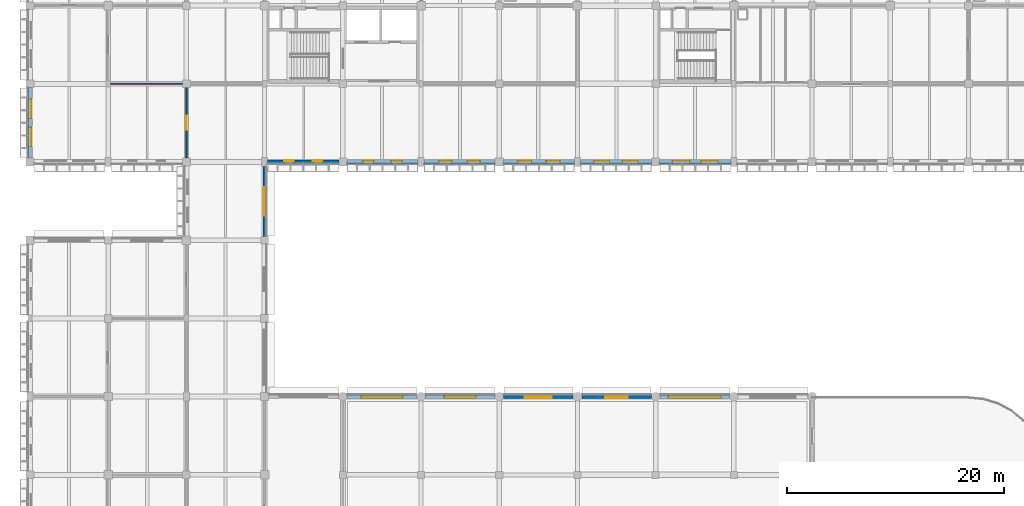
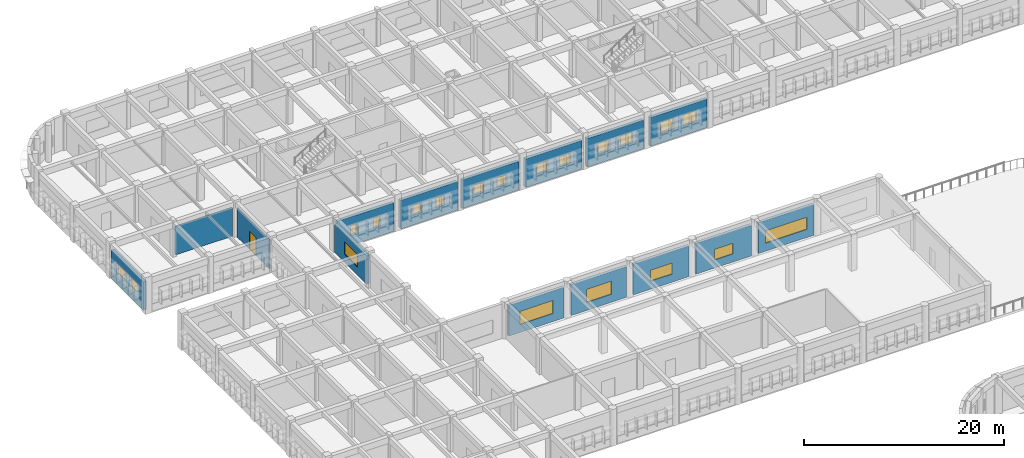
# One storey, part 43 of 61: 20 windows, 15 walls, 1 door, 21 openings.
"""IFC4 building model written with IfcOpenShell, lengths in metres."""

from ifc_helpers import new_model, si_unit, direction, frame, frame_2d, origin, place, context, subcontext, project, spatial, rectangle, extrude, material, layer, layer_set, type_object, element, fill, save


model = new_model("IFC4")

# Units and contexts
model_context = context("Model", 3, precision=1e-05, world=origin(), true_north=direction((0.0, 1.0)))
body_context = subcontext(model_context, "Body", "Model", "MODEL_VIEW")
ifc_project = project(units=[si_unit("LENGTHUNIT", "METRE"), si_unit("AREAUNIT", "SQUARE_METRE"), si_unit("VOLUMEUNIT", "CUBIC_METRE"), si_unit("PLANEANGLEUNIT", "RADIAN"), si_unit("MASSUNIT", "GRAM", prefix="KILO")], contexts=[model_context])

# Site, building, storey
site_placement = place(None, origin())
site = spatial("IfcSite", under=ifc_project, at=site_placement, CompositionType="ELEMENT")
building_placement = place(site_placement, origin())
building = spatial("IfcBuilding", under=site, at=building_placement, Name="Thalmaran Polytechnic", CompositionType="ELEMENT")
storey_placement = place(building_placement, frame((0.0, 0.0, 9.89990234375)))
storey = spatial("IfcBuildingStorey", under=building, at=storey_placement, Name="L02", CompositionType="ELEMENT", Elevation=9.89990234375)

# Wall, openings, windows
ifc_material_1 = material(Name="Precast concrete C40/50", Category="concrete")
ifc_layer_1 = layer(ifc_material_1, 0.360107421875, Name="Precast concrete C40/50")
ifc_layer_set_1 = layer_set([ifc_layer_1], Name="Precast concrete C40/50")
wall_type_1 = type_object("IfcWallType", Name="WL-EW01", PredefinedType="STANDARD", material=ifc_layer_set_1)
wall_1_placement = place(storey_placement, frame((0.0, 93.97509765625, 0.0), z_axis=(0.0, 0.0, 1.0), x_axis=(0.0, 1.0, 0.0)))
wall_1 = element("IfcWall", 1, at=wall_1_placement, inside=storey, type_object=wall_type_1, Name="Exterior Precast Facade Wall L02-018", PredefinedType="STANDARD", context=body_context, shape_type="SweptSolid", body=[
    extrude(rectangle(XDim=6.46484375, YDim=0.360107421875, at=frame_2d((3.232421875, 0.0))), origin(), (0.0, 0.0, 1.0), 3.47021484375),
])
opening_1_placement = place(wall_1_placement, frame((1.064453125, 0.0, 1.14990234375)))
opening_1 = element("IfcOpeningElement", 2, at=opening_1_placement, cuts=wall_1, Name="Opening VW08", PredefinedType="OPENING", context=body_context, shape_type="SweptSolid", body=[
    extrude(rectangle(XDim=1.75, YDim=1.39990234375, at=frame_2d((0.875, 0.699951171875))), frame((0.0, 0.18994140625, 0.0), z_axis=(0.0, -1.0, 0.0), x_axis=(1.0, 0.0, 0.0)), (0.0, 0.0, 1.0), 0.380126953125),
])
opening_2_placement = place(wall_1_placement, frame((3.650390625, 0.0, 1.14990234375)))
opening_2 = element("IfcOpeningElement", 3, at=opening_2_placement, cuts=wall_1, Name="Opening VW08", PredefinedType="OPENING", context=body_context, shape_type="SweptSolid", body=[
    extrude(rectangle(XDim=1.75, YDim=1.39990234375, at=frame_2d((0.875, 0.699951171875))), frame((0.0, 0.18994140625, 0.0), z_axis=(0.0, -1.0, 0.0), x_axis=(1.0, 0.0, 0.0)), (0.0, 0.0, 1.0), 0.380126953125),
])
ifc_material_2 = material(Name="Thermally broken aluminium and double low-E glass", Category="aluminium")
window_type_1 = type_object("IfcWindowType", Name="WN-VZ08", PartitioningType="SINGLE_PANEL", PredefinedType="WINDOW", material=ifc_material_2)
window_1_placement = place(opening_1_placement, origin())
window_1 = element("IfcWindow", 4, at=window_1_placement, inside=storey, type_object=window_type_1, Name="Deep-Set Solar-Screened Window W-0217", OverallHeight=1.39990234375, OverallWidth=1.75, PartitioningType="SINGLE_PANEL", PredefinedType="WINDOW", context=body_context, shape_type="SweptSolid", body=[
    extrude(rectangle(XDim=1.75, YDim=1.39990234375, at=frame_2d((0.875, 0.699951171875))), frame((0.0, -0.080078125, 0.0), z_axis=(0.0, -1.0, 0.0), x_axis=(1.0, 0.0, 0.0)), (0.0, 0.0, 1.0), 0.06005859375),
])
fill(opening_1, window_1)
window_2_placement = place(opening_2_placement, origin())
window_2 = element("IfcWindow", 5, at=window_2_placement, inside=storey, type_object=window_type_1, Name="Deep-Set Solar-Screened Window W-0218", OverallHeight=1.39990234375, OverallWidth=1.75, PartitioningType="SINGLE_PANEL", PredefinedType="WINDOW", context=body_context, shape_type="SweptSolid", body=[
    extrude(rectangle(XDim=1.75, YDim=1.39990234375, at=frame_2d((0.875, 0.699951171875))), frame((0.0, -0.080078125, 0.0), z_axis=(0.0, -1.0, 0.0), x_axis=(1.0, 0.0, 0.0)), (0.0, 0.0, 1.0), 0.06005859375),
])
fill(opening_2, window_2)

wall_2_placement = place(storey_placement, frame((64.52490234375, 93.60009765625, 0.0), z_axis=(0.0, 0.0, 1.0), x_axis=(-1.0, 0.0, 0.0)))
wall_2 = element("IfcWall", 6, at=wall_2_placement, inside=storey, type_object=wall_type_1, Name="Exterior Precast Facade Wall L02-103", PredefinedType="STANDARD", context=body_context, shape_type="SweptSolid", body=[
    extrude(rectangle(XDim=6.5498046875, YDim=0.360107421875, at=frame_2d((3.27490234375, 0.0))), origin(), (0.0, 0.0, 1.0), 3.47021484375),
])
opening_3_placement = place(wall_2_placement, frame((1.18994140625, 0.0, 1.14990234375)))
opening_3 = element("IfcOpeningElement", 7, at=opening_3_placement, cuts=wall_2, Name="Opening VW09", PredefinedType="OPENING", context=body_context, shape_type="SweptSolid", body=[
    extrude(rectangle(XDim=1.550048828125, YDim=1.35009765625, at=frame_2d((0.77490234375, 0.675048828125))), frame((0.0, 0.18994140625, 0.0), z_axis=(0.0, -1.0, 0.0), x_axis=(1.0, 0.0, 0.0)), (0.0, 0.0, 1.0), 0.380126953125),
])
opening_4_placement = place(wall_2_placement, frame((3.81005859375, 0.0, 1.14990234375)))
opening_4 = element("IfcOpeningElement", 8, at=opening_4_placement, cuts=wall_2, Name="Opening VW09", PredefinedType="OPENING", context=body_context, shape_type="SweptSolid", body=[
    extrude(rectangle(XDim=1.550048828125, YDim=1.35009765625, at=frame_2d((0.77490234375, 0.675048828125))), frame((0.0, 0.18994140625, 0.0), z_axis=(0.0, -1.0, 0.0), x_axis=(1.0, 0.0, 0.0)), (0.0, 0.0, 1.0), 0.380126953125),
])
window_type_2 = type_object("IfcWindowType", Name="WN-VZ09", PartitioningType="SINGLE_PANEL", PredefinedType="WINDOW", material=ifc_material_2)
window_3_placement = place(opening_3_placement, origin())
window_3 = element("IfcWindow", 9, at=window_3_placement, inside=storey, type_object=window_type_2, Name="Deep-Set Solar-Screened Window W-0306", OverallHeight=1.35009765625, OverallWidth=1.550048828125, PartitioningType="SINGLE_PANEL", PredefinedType="WINDOW", context=body_context, shape_type="SweptSolid", body=[
    extrude(rectangle(XDim=1.550048828125, YDim=1.35009765625, at=frame_2d((0.77490234375, 0.675048828125))), frame((0.0, -0.080078125, 0.0), z_axis=(0.0, -1.0, 0.0), x_axis=(1.0, 0.0, 0.0)), (0.0, 0.0, 1.0), 0.06005859375),
])
fill(opening_3, window_3)
window_4_placement = place(opening_4_placement, origin())
window_4 = element("IfcWindow", 10, at=window_4_placement, inside=storey, type_object=window_type_2, Name="Deep-Set Solar-Screened Window W-0307", OverallHeight=1.35009765625, OverallWidth=1.550048828125, PartitioningType="SINGLE_PANEL", PredefinedType="WINDOW", context=body_context, shape_type="SweptSolid", body=[
    extrude(rectangle(XDim=1.550048828125, YDim=1.35009765625, at=frame_2d((0.77490234375, 0.675048828125))), frame((0.0, -0.080078125, 0.0), z_axis=(0.0, -1.0, 0.0), x_axis=(1.0, 0.0, 0.0)), (0.0, 0.0, 1.0), 0.06005859375),
])
fill(opening_4, window_4)

wall_3_placement = place(storey_placement, frame((57.22509765625, 93.60009765625, 0.0), z_axis=(0.0, 0.0, 1.0), x_axis=(-1.0, 0.0, 0.0)))
wall_3 = element("IfcWall", 11, at=wall_3_placement, inside=storey, type_object=wall_type_1, Name="Exterior Precast Facade Wall L02-104", PredefinedType="STANDARD", context=body_context, shape_type="SweptSolid", body=[
    extrude(rectangle(XDim=6.550048828125, YDim=0.360107421875, at=frame_2d((3.27490234375, 0.0))), origin(), (0.0, 0.0, 1.0), 3.47021484375),
])
opening_5_placement = place(wall_3_placement, frame((1.264892578125, 0.0, 1.14990234375)))
opening_5 = element("IfcOpeningElement", 12, at=opening_5_placement, cuts=wall_3, Name="Opening VW10", PredefinedType="OPENING", context=body_context, shape_type="SweptSolid", body=[
    extrude(rectangle(XDim=1.39990234375, YDim=1.300048828125, at=frame_2d((0.699951171875, 0.64990234375))), frame((0.0, 0.18994140625, 0.0), z_axis=(0.0, -1.0, 0.0), x_axis=(1.0, 0.0, 0.0)), (0.0, 0.0, 1.0), 0.380126953125),
])
opening_6_placement = place(wall_3_placement, frame((3.885009765625, 0.0, 1.14990234375)))
opening_6 = element("IfcOpeningElement", 13, at=opening_6_placement, cuts=wall_3, Name="Opening VW10", PredefinedType="OPENING", context=body_context, shape_type="SweptSolid", body=[
    extrude(rectangle(XDim=1.39990234375, YDim=1.300048828125, at=frame_2d((0.699951171875, 0.64990234375))), frame((0.0, 0.18994140625, 0.0), z_axis=(0.0, -1.0, 0.0), x_axis=(1.0, 0.0, 0.0)), (0.0, 0.0, 1.0), 0.380126953125),
])
window_type_3 = type_object("IfcWindowType", Name="WN-VZ10", PartitioningType="SINGLE_PANEL", PredefinedType="WINDOW", material=ifc_material_2)
window_5_placement = place(opening_5_placement, origin())
window_5 = element("IfcWindow", 14, at=window_5_placement, inside=storey, type_object=window_type_3, Name="Deep-Set Solar-Screened Window W-0308", OverallHeight=1.300048828125, OverallWidth=1.39990234375, PartitioningType="SINGLE_PANEL", PredefinedType="WINDOW", context=body_context, shape_type="SweptSolid", body=[
    extrude(rectangle(XDim=1.39990234375, YDim=1.300048828125, at=frame_2d((0.699951171875, 0.64990234375))), frame((0.0, -0.080078125, 0.0), z_axis=(0.0, -1.0, 0.0), x_axis=(1.0, 0.0, 0.0)), (0.0, 0.0, 1.0), 0.06005859375),
])
fill(opening_5, window_5)
window_6_placement = place(opening_6_placement, origin())
window_6 = element("IfcWindow", 15, at=window_6_placement, inside=storey, type_object=window_type_3, Name="Deep-Set Solar-Screened Window W-0309", OverallHeight=1.300048828125, OverallWidth=1.39990234375, PartitioningType="SINGLE_PANEL", PredefinedType="WINDOW", context=body_context, shape_type="SweptSolid", body=[
    extrude(rectangle(XDim=1.39990234375, YDim=1.300048828125, at=frame_2d((0.699951171875, 0.64990234375))), frame((0.0, -0.080078125, 0.0), z_axis=(0.0, -1.0, 0.0), x_axis=(1.0, 0.0, 0.0)), (0.0, 0.0, 1.0), 0.06005859375),
])
fill(opening_6, window_6)

wall_4_placement = place(storey_placement, frame((50.125, 93.60009765625, 0.0), z_axis=(0.0, 0.0, 1.0), x_axis=(-1.0, 0.0, 0.0)))
wall_4 = element("IfcWall", 16, at=wall_4_placement, inside=storey, type_object=wall_type_1, Name="Exterior Precast Facade Wall L02-105", PredefinedType="STANDARD", context=body_context, shape_type="SweptSolid", body=[
    extrude(rectangle(XDim=6.550048828125, YDim=0.360107421875, at=frame_2d((3.27490234375, 0.0))), origin(), (0.0, 0.0, 1.0), 3.47021484375),
])
opening_7_placement = place(wall_4_placement, frame((1.340087890625, 0.0, 1.14990234375)))
opening_7 = element("IfcOpeningElement", 17, at=opening_7_placement, cuts=wall_4, Name="Opening VW11", PredefinedType="OPENING", context=body_context, shape_type="SweptSolid", body=[
    extrude(rectangle(XDim=1.25, YDim=1.25, at=frame_2d((0.625, 0.625))), frame((0.0, 0.18994140625, 0.0), z_axis=(0.0, -1.0, 0.0), x_axis=(1.0, 0.0, 0.0)), (0.0, 0.0, 1.0), 0.380126953125),
])
opening_8_placement = place(wall_4_placement, frame((3.9599609375, 0.0, 1.14990234375)))
opening_8 = element("IfcOpeningElement", 18, at=opening_8_placement, cuts=wall_4, Name="Opening VW11", PredefinedType="OPENING", context=body_context, shape_type="SweptSolid", body=[
    extrude(rectangle(XDim=1.25, YDim=1.25, at=frame_2d((0.625, 0.625))), frame((0.0, 0.18994140625, 0.0), z_axis=(0.0, -1.0, 0.0), x_axis=(1.0, 0.0, 0.0)), (0.0, 0.0, 1.0), 0.380126953125),
])
window_type_4 = type_object("IfcWindowType", Name="WN-VZ11", PartitioningType="SINGLE_PANEL", PredefinedType="WINDOW", material=ifc_material_2)
window_7_placement = place(opening_7_placement, origin())
window_7 = element("IfcWindow", 19, at=window_7_placement, inside=storey, type_object=window_type_4, Name="Deep-Set Solar-Screened Window W-0310", OverallHeight=1.25, OverallWidth=1.25, PartitioningType="SINGLE_PANEL", PredefinedType="WINDOW", context=body_context, shape_type="SweptSolid", body=[
    extrude(rectangle(XDim=1.25, YDim=1.25, at=frame_2d((0.625, 0.625))), frame((0.0, -0.080078125, 0.0), z_axis=(0.0, -1.0, 0.0), x_axis=(1.0, 0.0, 0.0)), (0.0, 0.0, 1.0), 0.06005859375),
])
fill(opening_7, window_7)
window_8_placement = place(opening_8_placement, origin())
window_8 = element("IfcWindow", 20, at=window_8_placement, inside=storey, type_object=window_type_4, Name="Deep-Set Solar-Screened Window W-0311", OverallHeight=1.25, OverallWidth=1.25, PartitioningType="SINGLE_PANEL", PredefinedType="WINDOW", context=body_context, shape_type="SweptSolid", body=[
    extrude(rectangle(XDim=1.25, YDim=1.25, at=frame_2d((0.625, 0.625))), frame((0.0, -0.080078125, 0.0), z_axis=(0.0, -1.0, 0.0), x_axis=(1.0, 0.0, 0.0)), (0.0, 0.0, 1.0), 0.06005859375),
])
fill(opening_8, window_8)

wall_5_placement = place(storey_placement, frame((42.824951171875, 93.60009765625, 0.0), z_axis=(0.0, 0.0, 1.0), x_axis=(-1.0, 0.0, 0.0)))
wall_5 = element("IfcWall", 21, at=wall_5_placement, inside=storey, type_object=wall_type_1, Name="Exterior Precast Facade Wall L02-106", PredefinedType="STANDARD", context=body_context, shape_type="SweptSolid", body=[
    extrude(rectangle(XDim=6.550048828125, YDim=0.360107421875, at=frame_2d((3.27490234375, 0.0))), origin(), (0.0, 0.0, 1.0), 3.47021484375),
])
opening_9_placement = place(wall_5_placement, frame((1.389892578125, 0.0, 1.14990234375)))
opening_9 = element("IfcOpeningElement", 22, at=opening_9_placement, cuts=wall_5, Name="Opening VW12", PredefinedType="OPENING", context=body_context, shape_type="SweptSolid", body=[
    extrude(rectangle(XDim=1.14990234375, YDim=1.199951171875, at=frame_2d((0.574951171875, 0.60009765625))), frame((0.0, 0.18994140625, 0.0), z_axis=(0.0, -1.0, 0.0), x_axis=(1.0, 0.0, 0.0)), (0.0, 0.0, 1.0), 0.380126953125),
])
opening_10_placement = place(wall_5_placement, frame((4.010009765625, 0.0, 1.14990234375)))
opening_10 = element("IfcOpeningElement", 23, at=opening_10_placement, cuts=wall_5, Name="Opening VW12", PredefinedType="OPENING", context=body_context, shape_type="SweptSolid", body=[
    extrude(rectangle(XDim=1.14990234375, YDim=1.199951171875, at=frame_2d((0.574951171875, 0.60009765625))), frame((0.0, 0.18994140625, 0.0), z_axis=(0.0, -1.0, 0.0), x_axis=(1.0, 0.0, 0.0)), (0.0, 0.0, 1.0), 0.380126953125),
])
window_type_5 = type_object("IfcWindowType", Name="WN-VZ12", PartitioningType="SINGLE_PANEL", PredefinedType="WINDOW", material=ifc_material_2)
window_9_placement = place(opening_9_placement, origin())
window_9 = element("IfcWindow", 24, at=window_9_placement, inside=storey, type_object=window_type_5, Name="Deep-Set Solar-Screened Window W-0312", OverallHeight=1.199951171875, OverallWidth=1.14990234375, PartitioningType="SINGLE_PANEL", PredefinedType="WINDOW", context=body_context, shape_type="SweptSolid", body=[
    extrude(rectangle(XDim=1.14990234375, YDim=1.199951171875, at=frame_2d((0.574951171875, 0.60009765625))), frame((0.0, -0.080078125, 0.0), z_axis=(0.0, -1.0, 0.0), x_axis=(1.0, 0.0, 0.0)), (0.0, 0.0, 1.0), 0.06005859375),
])
fill(opening_9, window_9)
window_10_placement = place(opening_10_placement, origin())
window_10 = element("IfcWindow", 25, at=window_10_placement, inside=storey, type_object=window_type_5, Name="Deep-Set Solar-Screened Window W-0313", OverallHeight=1.199951171875, OverallWidth=1.14990234375, PartitioningType="SINGLE_PANEL", PredefinedType="WINDOW", context=body_context, shape_type="SweptSolid", body=[
    extrude(rectangle(XDim=1.14990234375, YDim=1.199951171875, at=frame_2d((0.574951171875, 0.60009765625))), frame((0.0, -0.080078125, 0.0), z_axis=(0.0, -1.0, 0.0), x_axis=(1.0, 0.0, 0.0)), (0.0, 0.0, 1.0), 0.06005859375),
])
fill(opening_10, window_10)

wall_6_placement = place(storey_placement, frame((35.72509765625, 93.60009765625, 0.0), z_axis=(0.0, 0.0, 1.0), x_axis=(-1.0, 0.0, 0.0)))
wall_6 = element("IfcWall", 26, at=wall_6_placement, inside=storey, type_object=wall_type_1, Name="Exterior Precast Facade Wall L02-107", PredefinedType="STANDARD", context=body_context, shape_type="SweptSolid", body=[
    extrude(rectangle(XDim=6.550048828125, YDim=0.360107421875, at=frame_2d((3.27490234375, 0.0))), origin(), (0.0, 0.0, 1.0), 3.47021484375),
])
opening_11_placement = place(wall_6_placement, frame((1.465087890625, 0.0, 1.14990234375)))
opening_11 = element("IfcOpeningElement", 27, at=opening_11_placement, cuts=wall_6, Name="Opening VW13", PredefinedType="OPENING", context=body_context, shape_type="SweptSolid", body=[
    extrude(rectangle(XDim=1.0, YDim=1.199951171875, at=frame_2d((0.5, 0.60009765625))), frame((0.0, 0.18994140625, 0.0), z_axis=(0.0, -1.0, 0.0), x_axis=(1.0, 0.0, 0.0)), (0.0, 0.0, 1.0), 0.380126953125),
])
opening_12_placement = place(wall_6_placement, frame((4.0849609375, 0.0, 1.14990234375)))
opening_12 = element("IfcOpeningElement", 28, at=opening_12_placement, cuts=wall_6, Name="Opening VW13", PredefinedType="OPENING", context=body_context, shape_type="SweptSolid", body=[
    extrude(rectangle(XDim=1.0, YDim=1.199951171875, at=frame_2d((0.5, 0.60009765625))), frame((0.0, 0.18994140625, 0.0), z_axis=(0.0, -1.0, 0.0), x_axis=(1.0, 0.0, 0.0)), (0.0, 0.0, 1.0), 0.380126953125),
])
window_type_6 = type_object("IfcWindowType", Name="WN-VZ13", PartitioningType="SINGLE_PANEL", PredefinedType="WINDOW", material=ifc_material_2)
window_11_placement = place(opening_11_placement, origin())
window_11 = element("IfcWindow", 29, at=window_11_placement, inside=storey, type_object=window_type_6, Name="Deep-Set Solar-Screened Window W-0314", OverallHeight=1.199951171875, OverallWidth=1.0, PartitioningType="SINGLE_PANEL", PredefinedType="WINDOW", context=body_context, shape_type="SweptSolid", body=[
    extrude(rectangle(XDim=1.0, YDim=1.199951171875, at=frame_2d((0.5, 0.60009765625))), frame((0.0, -0.080078125, 0.0), z_axis=(0.0, -1.0, 0.0), x_axis=(1.0, 0.0, 0.0)), (0.0, 0.0, 1.0), 0.06005859375),
])
fill(opening_11, window_11)
window_12_placement = place(opening_12_placement, origin())
window_12 = element("IfcWindow", 30, at=window_12_placement, inside=storey, type_object=window_type_6, Name="Deep-Set Solar-Screened Window W-0315", OverallHeight=1.199951171875, OverallWidth=1.0, PartitioningType="SINGLE_PANEL", PredefinedType="WINDOW", context=body_context, shape_type="SweptSolid", body=[
    extrude(rectangle(XDim=1.0, YDim=1.199951171875, at=frame_2d((0.5, 0.60009765625))), frame((0.0, -0.080078125, 0.0), z_axis=(0.0, -1.0, 0.0), x_axis=(1.0, 0.0, 0.0)), (0.0, 0.0, 1.0), 0.06005859375),
])
fill(opening_12, window_12)

wall_7_placement = place(storey_placement, frame((28.425048828125, 93.60009765625, 0.0), z_axis=(0.0, 0.0, 1.0), x_axis=(-1.0, 0.0, 0.0)))
wall_7 = element("IfcWall", 31, at=wall_7_placement, inside=storey, type_object=wall_type_1, Name="Exterior Precast Facade Wall L02-108", PredefinedType="STANDARD", context=body_context, shape_type="SweptSolid", body=[
    extrude(rectangle(XDim=6.550048828125, YDim=0.360107421875, at=frame_2d((3.27490234375, 0.0))), origin(), (0.0, 0.0, 1.0), 3.47021484375),
])
opening_13_placement = place(wall_7_placement, frame((1.5400390625, 0.0, 1.14990234375)))
opening_13 = element("IfcOpeningElement", 32, at=opening_13_placement, cuts=wall_7, Name="Opening VW14", PredefinedType="OPENING", context=body_context, shape_type="SweptSolid", body=[
    extrude(rectangle(XDim=0.85009765625, YDim=1.25, at=frame_2d((0.425048828125, 0.625))), frame((0.0, 0.18994140625, 0.0), z_axis=(0.0, -1.0, 0.0), x_axis=(1.0, 0.0, 0.0)), (0.0, 0.0, 1.0), 0.380126953125),
])
opening_14_placement = place(wall_7_placement, frame((4.159912109375, 0.0, 1.14990234375)))
opening_14 = element("IfcOpeningElement", 33, at=opening_14_placement, cuts=wall_7, Name="Opening VW14", PredefinedType="OPENING", context=body_context, shape_type="SweptSolid", body=[
    extrude(rectangle(XDim=0.85009765625, YDim=1.25, at=frame_2d((0.425048828125, 0.625))), frame((0.0, 0.18994140625, 0.0), z_axis=(0.0, -1.0, 0.0), x_axis=(1.0, 0.0, 0.0)), (0.0, 0.0, 1.0), 0.380126953125),
])
window_type_7 = type_object("IfcWindowType", Name="WN-VZ14", PartitioningType="SINGLE_PANEL", PredefinedType="WINDOW", material=ifc_material_2)
window_13_placement = place(opening_13_placement, origin())
window_13 = element("IfcWindow", 34, at=window_13_placement, inside=storey, type_object=window_type_7, Name="Deep-Set Solar-Screened Window W-0316", OverallHeight=1.25, OverallWidth=0.85009765625, PartitioningType="SINGLE_PANEL", PredefinedType="WINDOW", context=body_context, shape_type="SweptSolid", body=[
    extrude(rectangle(XDim=0.85009765625, YDim=1.25, at=frame_2d((0.425048828125, 0.625))), frame((0.0, -0.080078125, 0.0), z_axis=(0.0, -1.0, 0.0), x_axis=(1.0, 0.0, 0.0)), (0.0, 0.0, 1.0), 0.06005859375),
])
fill(opening_13, window_13)
window_14_placement = place(opening_14_placement, origin())
window_14 = element("IfcWindow", 35, at=window_14_placement, inside=storey, type_object=window_type_7, Name="Deep-Set Solar-Screened Window W-0317", OverallHeight=1.25, OverallWidth=0.85009765625, PartitioningType="SINGLE_PANEL", PredefinedType="WINDOW", context=body_context, shape_type="SweptSolid", body=[
    extrude(rectangle(XDim=0.85009765625, YDim=1.25, at=frame_2d((0.425048828125, 0.625))), frame((0.0, -0.080078125, 0.0), z_axis=(0.0, -1.0, 0.0), x_axis=(1.0, 0.0, 0.0)), (0.0, 0.0, 1.0), 0.06005859375),
])
fill(opening_14, window_14)

# Wall, opening, window
ifc_layer_2 = layer(ifc_material_1, 0.330078125, Name="Precast concrete C40/50")
ifc_layer_set_2 = layer_set([ifc_layer_2], Name="Precast concrete C40/50")
wall_type_2 = type_object("IfcWallType", Name="WL-EW02", PredefinedType="STANDARD", material=ifc_layer_set_2)
wall_8_placement = place(storey_placement, frame((21.60009765625, 93.175048828125, 0.0), z_axis=(0.0, 0.0, 1.0), x_axis=(0.0, -1.0, 0.0)))
wall_8 = element("IfcWall", 36, at=wall_8_placement, inside=storey, type_object=wall_type_2, Name="Exterior Precast Facade Wall L02-109", PredefinedType="STANDARD", context=body_context, shape_type="SweptSolid", body=[
    extrude(rectangle(XDim=6.425048828125, YDim=0.330078125, at=frame_2d((3.21240234375, 0.0))), origin(), (0.0, 0.0, 1.0), 3.47021484375),
])
opening_15_placement = place(wall_8_placement, frame((1.91259765625, 0.0, 0.97998046875)))
opening_15 = element("IfcOpeningElement", 37, at=opening_15_placement, cuts=wall_8, Name="Opening VW05", PredefinedType="OPENING", context=body_context, shape_type="SweptSolid", body=[
    extrude(rectangle(XDim=2.60009765625, YDim=1.5, at=frame_2d((1.300048828125, 0.75))), frame((0.0, 0.175048828125, 0.0), z_axis=(0.0, -1.0, 0.0), x_axis=(1.0, 0.0, 0.0)), (0.0, 0.0, 1.0), 0.35009765625),
])
window_type_8 = type_object("IfcWindowType", Name="WN-VZ05", PartitioningType="DOUBLE_PANEL_VERTICAL", PredefinedType="WINDOW", material=ifc_material_2)
window_15_placement = place(opening_15_placement, origin())
window_15 = element("IfcWindow", 38, at=window_15_placement, inside=storey, type_object=window_type_8, Name="Streamline Ribbon Window W-0318", OverallHeight=1.5, OverallWidth=2.60009765625, PartitioningType="SINGLE_PANEL", PredefinedType="WINDOW", context=body_context, shape_type="SweptSolid", body=[
    extrude(rectangle(XDim=2.60009765625, YDim=1.5, at=frame_2d((1.300048828125, 0.75))), frame((0.0, -0.030029296875, 0.0), z_axis=(0.0, -1.0, 0.0), x_axis=(1.0, 0.0, 0.0)), (0.0, 0.0, 1.0), 0.06005859375),
])
fill(opening_15, window_15)

wall_9_placement = place(storey_placement, frame((29.199951171875, 72.0, 0.0), z_axis=(0.0, 0.0, 1.0), x_axis=(1.0, 0.0, 0.0)))
wall_9 = element("IfcWall", 39, at=wall_9_placement, inside=storey, type_object=wall_type_2, Name="Exterior Precast Facade Wall L02-113", PredefinedType="STANDARD", context=body_context, shape_type="SweptSolid", body=[
    extrude(rectangle(XDim=6.400146484375, YDim=0.330078125, at=frame_2d((3.2001953125, 0.0))), origin(), (0.0, 0.0, 1.0), 3.7451171875),
])
opening_16_placement = place(wall_9_placement, frame((1.300048828125, 0.0, 0.97998046875)))
opening_16 = element("IfcOpeningElement", 40, at=opening_16_placement, cuts=wall_9, Name="Opening VW17", PredefinedType="OPENING", context=body_context, shape_type="SweptSolid", body=[
    extrude(rectangle(XDim=3.800048828125, YDim=1.60009765625, at=frame_2d((1.89990234375, 0.800048828125))), frame((0.0, 0.175048828125, 0.0), z_axis=(0.0, -1.0, 0.0), x_axis=(1.0, 0.0, 0.0)), (0.0, 0.0, 1.0), 0.35009765625),
])
window_type_9 = type_object("IfcWindowType", Name="WN-VZ17", PartitioningType="DOUBLE_PANEL_VERTICAL", PredefinedType="WINDOW", material=ifc_material_2)
window_16_placement = place(opening_16_placement, origin())
window_16 = element("IfcWindow", 41, at=window_16_placement, inside=storey, type_object=window_type_9, Name="Streamline Ribbon Window W-0322", OverallHeight=1.60009765625, OverallWidth=3.800048828125, PartitioningType="SINGLE_PANEL", PredefinedType="WINDOW", context=body_context, shape_type="SweptSolid", body=[
    extrude(rectangle(XDim=3.800048828125, YDim=1.60009765625, at=frame_2d((1.89990234375, 0.800048828125))), frame((0.0, -0.030029296875, 0.0), z_axis=(0.0, -1.0, 0.0), x_axis=(1.0, 0.0, 0.0)), (0.0, 0.0, 1.0), 0.06005859375),
])
fill(opening_16, window_16)

wall_10_placement = place(storey_placement, frame((36.39990234375, 72.0, 0.0), z_axis=(0.0, 0.0, 1.0), x_axis=(1.0, 0.0, 0.0)))
wall_10 = element("IfcWall", 42, at=wall_10_placement, inside=storey, type_object=wall_type_2, Name="Exterior Precast Facade Wall L02-114", PredefinedType="STANDARD", context=body_context, shape_type="SweptSolid", body=[
    extrude(rectangle(XDim=6.400146484375, YDim=0.330078125, at=frame_2d((3.2001953125, 0.0))), origin(), (0.0, 0.0, 1.0), 3.7451171875),
])
opening_17_placement = place(wall_10_placement, frame((1.75, 0.0, 0.97998046875)))
opening_17 = element("IfcOpeningElement", 43, at=opening_17_placement, cuts=wall_10, Name="Opening VW18", PredefinedType="OPENING", context=body_context, shape_type="SweptSolid", body=[
    extrude(rectangle(XDim=2.89990234375, YDim=1.60009765625, at=frame_2d((1.449951171875, 0.800048828125))), frame((0.0, 0.175048828125, 0.0), z_axis=(0.0, -1.0, 0.0), x_axis=(1.0, 0.0, 0.0)), (0.0, 0.0, 1.0), 0.35009765625),
])
window_type_10 = type_object("IfcWindowType", Name="WN-VZ18", PartitioningType="DOUBLE_PANEL_VERTICAL", PredefinedType="WINDOW", material=ifc_material_2)
window_17_placement = place(opening_17_placement, origin())
window_17 = element("IfcWindow", 44, at=window_17_placement, inside=storey, type_object=window_type_10, Name="Streamline Ribbon Window W-0323", OverallHeight=1.60009765625, OverallWidth=2.89990234375, PartitioningType="SINGLE_PANEL", PredefinedType="WINDOW", context=body_context, shape_type="SweptSolid", body=[
    extrude(rectangle(XDim=2.89990234375, YDim=1.60009765625, at=frame_2d((1.449951171875, 0.800048828125))), frame((0.0, -0.030029296875, 0.0), z_axis=(0.0, -1.0, 0.0), x_axis=(1.0, 0.0, 0.0)), (0.0, 0.0, 1.0), 0.06005859375),
])
fill(opening_17, window_17)

wall_11_placement = place(storey_placement, frame((43.60009765625, 72.0, 0.0), z_axis=(0.0, 0.0, 1.0), x_axis=(1.0, 0.0, 0.0)))
wall_11 = element("IfcWall", 45, at=wall_11_placement, inside=storey, type_object=wall_type_2, Name="Exterior Precast Facade Wall L02-115", PredefinedType="STANDARD", context=body_context, shape_type="SweptSolid", body=[
    extrude(rectangle(XDim=6.39990234375, YDim=0.330078125, at=frame_2d((3.199951171875, 0.0))), origin(), (0.0, 0.0, 1.0), 3.7451171875),
])
opening_18_placement = place(wall_11_placement, frame((1.949951171875, 0.0, 0.97998046875)))
opening_18 = element("IfcOpeningElement", 46, at=opening_18_placement, cuts=wall_11, Name="Opening VW19", PredefinedType="OPENING", context=body_context, shape_type="SweptSolid", body=[
    extrude(rectangle(XDim=2.5, YDim=1.35009765625, at=frame_2d((1.25, 0.675048828125))), frame((0.0, 0.175048828125, 0.0), z_axis=(0.0, -1.0, 0.0), x_axis=(1.0, 0.0, 0.0)), (0.0, 0.0, 1.0), 0.35009765625),
])
window_type_11 = type_object("IfcWindowType", Name="WN-VZ19", PartitioningType="DOUBLE_PANEL_VERTICAL", PredefinedType="WINDOW", material=ifc_material_2)
window_18_placement = place(opening_18_placement, origin())
window_18 = element("IfcWindow", 47, at=window_18_placement, inside=storey, type_object=window_type_11, Name="Streamline Ribbon Window W-0324", OverallHeight=1.35009765625, OverallWidth=2.5, PartitioningType="SINGLE_PANEL", PredefinedType="WINDOW", context=body_context, shape_type="SweptSolid", body=[
    extrude(rectangle(XDim=2.5, YDim=1.35009765625, at=frame_2d((1.25, 0.675048828125))), frame((0.0, -0.030029296875, 0.0), z_axis=(0.0, -1.0, 0.0), x_axis=(1.0, 0.0, 0.0)), (0.0, 0.0, 1.0), 0.06005859375),
])
fill(opening_18, window_18)

wall_12_placement = place(storey_placement, frame((50.800048828125, 72.0, 0.0), z_axis=(0.0, 0.0, 1.0), x_axis=(1.0, 0.0, 0.0)))
wall_12 = element("IfcWall", 48, at=wall_12_placement, inside=storey, type_object=wall_type_2, Name="Exterior Precast Facade Wall L02-116", PredefinedType="STANDARD", context=body_context, shape_type="SweptSolid", body=[
    extrude(rectangle(XDim=6.39990234375, YDim=0.330078125, at=frame_2d((3.199951171875, 0.0))), origin(), (0.0, 0.0, 1.0), 3.7451171875),
])
opening_19_placement = place(wall_12_placement, frame((2.14990234375, 0.0, 0.97998046875)))
opening_19 = element("IfcOpeningElement", 49, at=opening_19_placement, cuts=wall_12, Name="Opening VW20", PredefinedType="OPENING", context=body_context, shape_type="SweptSolid", body=[
    extrude(rectangle(XDim=2.10009765625, YDim=1.300048828125, at=frame_2d((1.050048828125, 0.64990234375))), frame((0.0, 0.175048828125, 0.0), z_axis=(0.0, -1.0, 0.0), x_axis=(1.0, 0.0, 0.0)), (0.0, 0.0, 1.0), 0.35009765625),
])
window_type_12 = type_object("IfcWindowType", Name="WN-VZ20", PartitioningType="SINGLE_PANEL", PredefinedType="WINDOW", material=ifc_material_2)
window_19_placement = place(opening_19_placement, origin())
window_19 = element("IfcWindow", 50, at=window_19_placement, inside=storey, type_object=window_type_12, Name="Streamline Ribbon Window W-0325", OverallHeight=1.300048828125, OverallWidth=2.10009765625, PartitioningType="SINGLE_PANEL", PredefinedType="WINDOW", context=body_context, shape_type="SweptSolid", body=[
    extrude(rectangle(XDim=2.10009765625, YDim=1.300048828125, at=frame_2d((1.050048828125, 0.64990234375))), frame((0.0, -0.030029296875, 0.0), z_axis=(0.0, -1.0, 0.0), x_axis=(1.0, 0.0, 0.0)), (0.0, 0.0, 1.0), 0.06005859375),
])
fill(opening_19, window_19)

wall_13_placement = place(storey_placement, frame((58.0, 72.0, 0.0), z_axis=(0.0, 0.0, 1.0), x_axis=(1.0, 0.0, 0.0)))
wall_13 = element("IfcWall", 51, at=wall_13_placement, inside=storey, type_object=wall_type_2, Name="Exterior Precast Facade Wall L02-117", PredefinedType="STANDARD", context=body_context, shape_type="SweptSolid", body=[
    extrude(rectangle(XDim=6.39990234375, YDim=0.330078125, at=frame_2d((3.199951171875, 0.0))), origin(), (0.0, 0.0, 1.0), 3.7451171875),
])
opening_20_placement = place(wall_13_placement, frame((0.800048828125, 0.0, 0.97998046875)))
opening_20 = element("IfcOpeningElement", 52, at=opening_20_placement, cuts=wall_13, Name="Opening RW01", PredefinedType="OPENING", context=body_context, shape_type="SweptSolid", body=[
    extrude(rectangle(XDim=4.800048828125, YDim=1.5, at=frame_2d((2.39990234375, 0.75))), frame((0.0, 0.175048828125, 0.0), z_axis=(0.0, -1.0, 0.0), x_axis=(1.0, 0.0, 0.0)), (0.0, 0.0, 1.0), 0.35009765625),
])
window_type_13 = type_object("IfcWindowType", Name="WN-RW01", PartitioningType="TRIPLE_PANEL_HORIZONTAL", PredefinedType="WINDOW", material=ifc_material_2)
window_20_placement = place(opening_20_placement, origin())
window_20 = element("IfcWindow", 53, at=window_20_placement, inside=storey, type_object=window_type_13, Name="Streamline Ribbon Window W-0326", OverallHeight=1.5, OverallWidth=4.800048828125, PartitioningType="SINGLE_PANEL", PredefinedType="WINDOW", context=body_context, shape_type="SweptSolid", body=[
    extrude(rectangle(XDim=4.800048828125, YDim=1.5, at=frame_2d((2.39990234375, 0.75))), frame((0.0, -0.030029296875, 0.0), z_axis=(0.0, -1.0, 0.0), x_axis=(1.0, 0.0, 0.0)), (0.0, 0.0, 1.0), 0.06005859375),
])
fill(opening_20, window_20)

# Wall, opening, door
ifc_material_3 = material(Name="Gypsum acoustic partition")
ifc_layer_3 = layer(ifc_material_3, 0.14501953125, Name="Gypsum acoustic partition")
ifc_layer_set_3 = layer_set([ifc_layer_3], Name="Gypsum acoustic partition")
wall_type_3 = type_object("IfcWallType", Name="WL-IW06", PredefinedType="PARTITIONING", material=ifc_layer_set_3)
wall_14_placement = place(storey_placement, frame((14.39990234375, 93.97998046875, 0.0), z_axis=(0.0, 0.0, 1.0), x_axis=(0.0, 1.0, 0.0)))
wall_14 = element("IfcWall", 54, at=wall_14_placement, inside=storey, type_object=wall_type_3, Name="Interior Partition IW06 L02-027", PredefinedType="PARTITIONING", context=body_context, shape_type="SweptSolid", body=[
    extrude(rectangle(XDim=6.455078125, YDim=0.14501953125, at=frame_2d((3.2275390625, 0.0))), origin(), (0.0, 0.0, 1.0), 3.5400390625),
])
opening_21_placement = place(wall_14_placement, frame((2.58740234375, 0.0, 0.0)))
opening_21 = element("IfcOpeningElement", 55, at=opening_21_placement, cuts=wall_14, Name="Opening D-L02-014-2-01-1", PredefinedType="OPENING", context=body_context, shape_type="SweptSolid", body=[
    extrude(rectangle(XDim=1.280029296875, YDim=2.239990234375, at=frame_2d((0.64013671875, 1.1201171875))), frame((0.0, 0.08251953125, 0.0), z_axis=(0.0, -1.0, 0.0), x_axis=(1.0, 0.0, 0.0)), (0.0, 0.0, 1.0), 0.1650390625),
])
ifc_material_4 = material(Name="Powder-coated fire-rated steel", Category="steel")
door_type = type_object("IfcDoorType", Name="DR-ZD10", OperationType="NOTDEFINED", PredefinedType="DOOR", material=ifc_material_4)
door_placement = place(opening_21_placement, origin())
door = element("IfcDoor", 56, at=door_placement, inside=storey, type_object=door_type, Name="Seminar Room L02-01 Door 1", OperationType="SINGLE_SWING_LEFT", OverallHeight=2.239990234375, OverallWidth=1.280029296875, PredefinedType="DOOR", context=body_context, shape_type="SweptSolid", body=[
    extrude(rectangle(XDim=1.280029296875, YDim=2.239990234375, at=frame_2d((0.64013671875, 1.1201171875))), frame((0.0, 0.02490234375, 0.0), z_axis=(0.0, -1.0, 0.0), x_axis=(1.0, 0.0, 0.0)), (0.0, 0.0, 1.0), 0.050048828125),
])
fill(opening_21, door)

# Wall
ifc_layer_4 = layer(ifc_material_3, 0.1298828125, Name="Gypsum acoustic partition")
ifc_layer_set_4 = layer_set([ifc_layer_4], Name="Gypsum acoustic partition")
wall_type_4 = type_object("IfcWallType", Name="WL-IW07", PredefinedType="PARTITIONING", material=ifc_layer_set_4)
wall_15_placement = place(storey_placement, frame((7.405029296875, 100.800048828125, 0.0), z_axis=(0.0, 0.0, 1.0), x_axis=(1.0, 0.0, 0.0)))
element("IfcWall", 57, at=wall_15_placement, inside=storey, type_object=wall_type_4, Name="Interior Partition IW07 L02-028", PredefinedType="PARTITIONING", context=body_context, shape_type="SweptSolid", body=[
    extrude(rectangle(XDim=6.6298828125, YDim=0.1298828125, at=frame_2d((3.31494140625, 0.0))), origin(), (0.0, 0.0, 1.0), 3.5),
])

save(model, "model.ifc")
